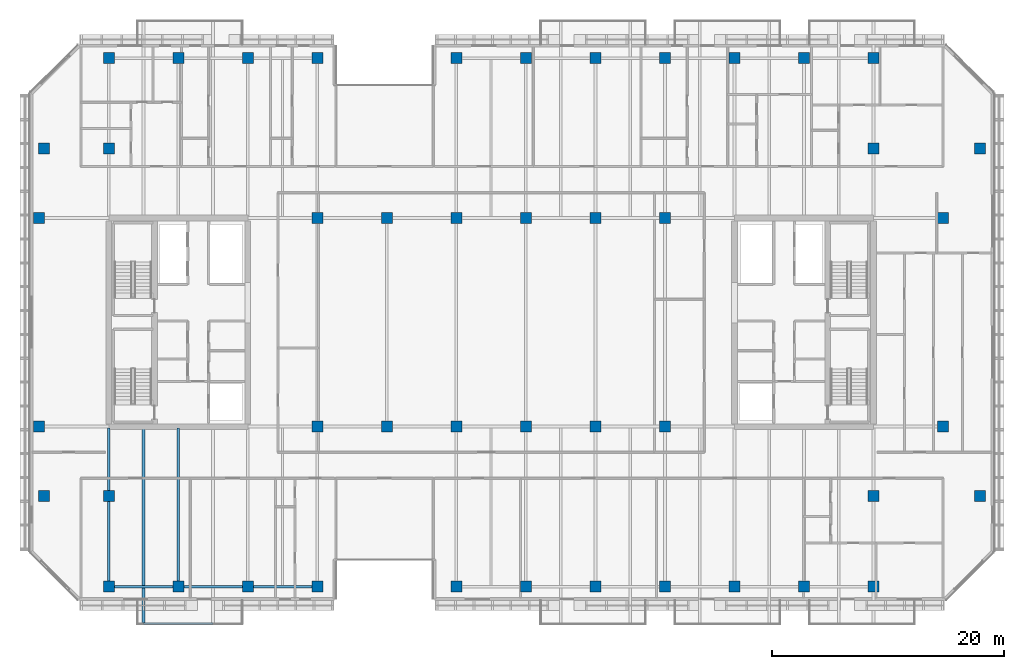
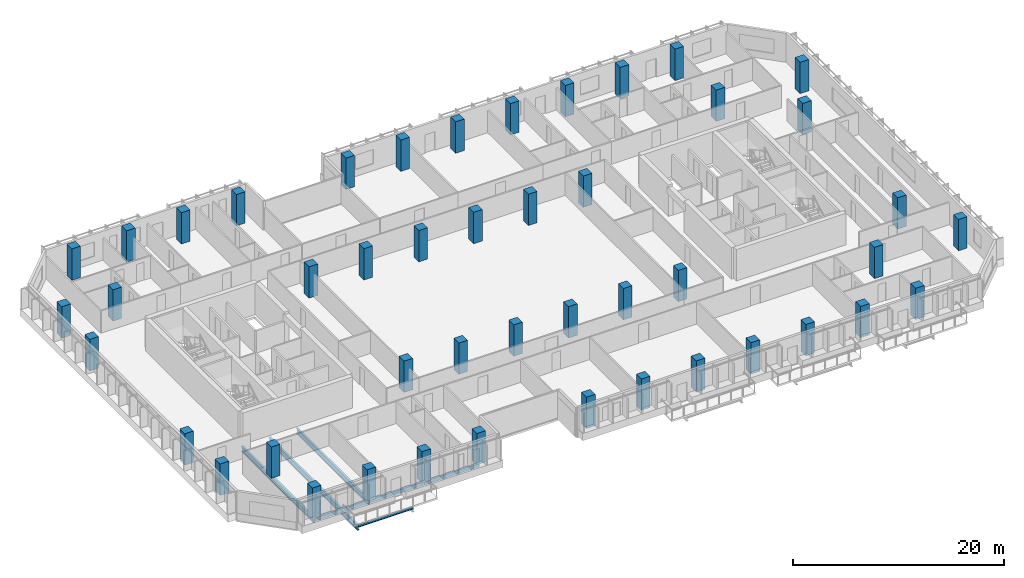
# One storey, part 1 of 23: 46 columns, 7 beams.
"""IFC4 building model written with IfcOpenShell, lengths in metres."""

from ifc_helpers import new_model, si_unit, direction, frame, origin, origin_2d, place, context, subcontext, project, spatial, rectangle, hollow_rectangle, i_section, extrude, material, material_profile, profile_set, type_object, element, save


model = new_model("IFC4")

# Units and contexts
model_context = context("Model", 3, precision=1e-05, world=origin(), true_north=direction((0.0, 1.0)))
body_context = subcontext(model_context, "Body", "Model", "MODEL_VIEW")
ifc_project = project(units=[si_unit("LENGTHUNIT", "METRE"), si_unit("AREAUNIT", "SQUARE_METRE"), si_unit("VOLUMEUNIT", "CUBIC_METRE"), si_unit("PLANEANGLEUNIT", "RADIAN"), si_unit("MASSUNIT", "GRAM", prefix="KILO")], contexts=[model_context])

# Site, building, storey
site_placement = place(None, origin())
site = spatial("IfcSite", under=ifc_project, at=site_placement, CompositionType="ELEMENT")
building_placement = place(site_placement, origin())
building = spatial("IfcBuilding", under=site, at=building_placement, Name="Tanjung Sevakor Pilgrim Tower", CompositionType="ELEMENT")
storey_placement = place(building_placement, frame((0.0, 0.0, 119.4599609375)))
storey = spatial("IfcBuildingStorey", under=building, at=storey_placement, Name="L33", CompositionType="ELEMENT", Elevation=119.4599609375)

# Columns
ifc_material_1 = material(Name="Concrete C60/75", Category="concrete")
ifc_material_profile_1 = material_profile(ifc_material_1, rectangle(XDim=0.949951171875, YDim=0.949951171875, at=origin_2d()))
ifc_profile_set_1 = profile_set([ifc_material_profile_1], Name="Concrete C60/75")
column_type = type_object("IfcColumnType", Name="COL-C-T950-RC_950x950", PredefinedType="COLUMN", material=ifc_profile_set_1)
for number, where, z_axis, x_axis, name in (
    (1, (18.0, 24.60009765625, 0.0), (0.0, 0.0, 1.0), (1.0, 0.0, 0.0), "L33 Column SPW-018-246"),
    (2, (18.0, 42.60009765625, 0.0), (0.0, 0.0, 1.0), (1.0, 0.0, 0.0), "L33 Column SPW-018-426"),
    (3, (42.0, 24.60009765625, 0.0), (0.0, 0.0, 1.0), (1.0, 0.0, 0.0), "L33 Column SPW-042-246"),
    (4, (42.0, 42.60009765625, 0.0), (0.0, 0.0, 1.0), (1.0, 0.0, 0.0), "L33 Column SPW-042-426"),
    (5, (48.0, 24.60009765625, 0.0), (0.0, 0.0, 1.0), (1.0, 0.0, 0.0), "L33 Column SPW-048-246"),
    (6, (48.0, 42.60009765625, 0.0), (0.0, 0.0, 1.0), (1.0, 0.0, 0.0), "L33 Column SPW-048-426"),
    (7, (54.0, 24.60009765625, 0.0), (0.0, 0.0, 1.0), (1.0, 0.0, 0.0), "L33 Column SPE-054-246"),
    (8, (54.0, 42.60009765625, 0.0), (0.0, 0.0, 1.0), (1.0, 0.0, 0.0), "L33 Column SPE-054-426"),
    (9, (60.0, 24.60009765625, 0.0), (0.0, 0.0, 1.0), (1.0, 0.0, 0.0), "L33 Column SPE-060-246"),
    (10, (60.0, 42.60009765625, 0.0), (0.0, 0.0, 1.0), (1.0, 0.0, 0.0), "L33 Column SPE-060-426"),
    (11, (66.0, 24.60009765625, 0.0), (0.0, 0.0, 1.0), (1.0, 0.0, 0.0), "L33 Column SPE-066-246"),
    (12, (66.0, 42.60009765625, 0.0), (0.0, 0.0, 1.0), (1.0, 0.0, 0.0), "L33 Column SPE-066-426"),
    (13, (72.0, 24.60009765625, 0.0), (0.0, 0.0, 1.0), (1.0, 0.0, 0.0), "L33 Column SPE-072-246"),
    (14, (72.0, 42.60009765625, 0.0), (0.0, 0.0, 1.0), (1.0, 0.0, 0.0), "L33 Column SPE-072-426"),
    (15, (96.0, 24.60009765625, 0.0), (0.0, 0.0, 1.0), (1.0, 0.0, 0.0), "L33 Column SPE-096-246"),
    (16, (96.0, 42.60009765625, 0.0), (0.0, 0.0, 1.0), (1.0, 0.0, 0.0), "L33 Column SPE-096-426"),
    (17, (18.39990234375, 18.60009765625, 0.0), (0.0, 0.0, 1.0), (1.0, 0.0, 0.0), "L33 Column TCE-0184-186"),
    (18, (18.39990234375, 48.60009765625, 0.0), (0.0, 0.0, 1.0), (1.0, 0.0, 0.0), "L33 Column TCE-0184-486"),
    (19, (24.0, 18.60009765625, 0.0), (0.0, 0.0, 1.0), (1.0, 0.0, 0.0), "L33 Column TCE-0240-186"),
    (20, (24.0, 48.60009765625, 0.0), (0.0, 0.0, 1.0), (1.0, 0.0, 0.0), "L33 Column TCE-0240-486"),
    (21, (90.0, 18.60009765625, 0.0), (0.0, 0.0, 1.0), (1.0, 0.0, 0.0), "L33 Column TCE-0900-186"),
    (22, (90.0, 48.60009765625, 0.0), (0.0, 0.0, 1.0), (1.0, 0.0, 0.0), "L33 Column TCE-0900-486"),
    (23, (99.199951171875, 18.60009765625, 0.0), (0.0, 0.0, 1.0), (1.0, 0.0, 0.0), "L33 Column TCE-0992-186"),
    (24, (99.199951171875, 48.60009765625, 0.0), (0.0, 0.0, 1.0), (1.0, 0.0, 0.0), "L33 Column TCE-0992-486"),
    (25, (24.0, 10.800048828125, 0.0), (0.0, 0.0, 1.0), (1.0, 0.0, 0.0), "L33 Column TC2-024-108"),
    (26, (24.0, 56.39990234375, 0.0), (0.0, 0.0, 1.0), (1.0, 0.0, 0.0), "L33 Column TC2-024-564"),
    (27, (30.0, 10.800048828125, 0.0), (0.0, 0.0, 1.0), (1.0, 0.0, 0.0), "L33 Column TC2-030-108"),
    (28, (30.0, 56.39990234375, 0.0), (0.0, 0.0, 1.0), (1.0, 0.0, 0.0), "L33 Column TC2-030-564"),
    (29, (36.0, 10.800048828125, 0.0), (0.0, 0.0, 1.0), (1.0, 0.0, 0.0), "L33 Column TC2-036-108"),
    (30, (36.0, 56.39990234375, 0.0), (0.0, 0.0, 1.0), (1.0, 0.0, 0.0), "L33 Column TC2-036-564"),
    (31, (42.0, 10.800048828125, 0.0), (0.0, 0.0, 1.0), (1.0, 0.0, 0.0), "L33 Column TC2-042-108"),
    (32, (42.0, 56.39990234375, 0.0), (0.0, 0.0, 1.0), (1.0, 0.0, 0.0), "L33 Column TC2-042-564"),
    (33, (54.0, 10.800048828125, 0.0), (0.0, 0.0, 1.0), (1.0, 0.0, 0.0), "L33 Column TC2-054-108"),
    (34, (54.0, 56.39990234375, 0.0), (0.0, 0.0, 1.0), (1.0, 0.0, 0.0), "L33 Column TC2-054-564"),
    (35, (60.0, 10.800048828125, 0.0), (0.0, 0.0, 1.0), (1.0, 0.0, 0.0), "L33 Column TC2-060-108"),
    (36, (60.0, 56.39990234375, 0.0), (0.0, 0.0, 1.0), (1.0, 0.0, 0.0), "L33 Column TC2-060-564"),
    (37, (66.0, 10.800048828125, 0.0), (0.0, 0.0, 1.0), (1.0, 0.0, 0.0), "L33 Column TC2-066-108"),
    (38, (66.0, 56.39990234375, 0.0), (0.0, 0.0, 1.0), (1.0, 0.0, 0.0), "L33 Column TC2-066-564"),
    (39, (72.0, 10.800048828125, 0.0), (0.0, 0.0, 1.0), (1.0, 0.0, 0.0), "L33 Column TC2-072-108"),
    (40, (72.0, 56.39990234375, 0.0), (0.0, 0.0, 1.0), (1.0, 0.0, 0.0), "L33 Column TC2-072-564"),
    (41, (78.0, 10.800048828125, 0.0), (0.0, 0.0, 1.0), (1.0, 0.0, 0.0), "L33 Column TC2-078-108"),
    (42, (78.0, 56.39990234375, 0.0), (0.0, 0.0, 1.0), (1.0, 0.0, 0.0), "L33 Column TC2-078-564"),
    (43, (84.0, 10.800048828125, 0.0), (0.0, 0.0, 1.0), (1.0, 0.0, 0.0), "L33 Column TC2-084-108"),
    (44, (84.0, 56.39990234375, 0.0), (0.0, 0.0, 1.0), (1.0, 0.0, 0.0), "L33 Column TC2-084-564"),
    (45, (90.0, 10.800048828125, 0.0), (0.0, 0.0, 1.0), (1.0, 0.0, 0.0), "L33 Column TC2-090-108"),
    (46, (90.0, 56.39990234375, 0.0), (0.0, 0.0, 1.0), (1.0, 0.0, 0.0), "L33 Column TC2-090-564"),
):
    element("IfcColumn", number, at=place(storey_placement, frame(where, z_axis=z_axis, x_axis=x_axis)), inside=storey, type_object=column_type, Name=name, PredefinedType="COLUMN", context=body_context, shape_type="SweptSolid", body=[
        extrude(rectangle(XDim=0.949951171875, YDim=0.949951171875, at=origin_2d()), origin(), (0.0, 0.0, 1.0), 3.630126953125),
    ])

# Beams
ifc_material_2 = material(Name="Steel S355J2", Category="steel")
ifc_material_profile_2 = material_profile(ifc_material_2, i_section(OverallWidth=0.230224609375, OverallDepth=0.6171875, WebThickness=0.01318359375, FlangeThickness=0.022216796875, FilletRadius=0.0126953125, at=origin_2d()))
ifc_profile_set_2 = profile_set([ifc_material_profile_2], Name="Steel S355J2")
beam_type_1 = type_object("IfcBeamType", Name="BM-B-G3-UB_610x229x140", PredefinedType="BEAM", material=ifc_profile_set_2)
for number, where, z_axis, x_axis, name in (
    (47, (24.0, 10.800048828125, -0.528564453125), (0.0, 1.0, 0.0), (-1.0, 0.0, 0.0), "L33 MAIN Girder 001"),
    (48, (30.0, 10.800048828125, -0.528564453125), (0.0, 1.0, 0.0), (-1.0, 0.0, 0.0), "L33 MAIN Girder 003"),
):
    element("IfcBeam", number, at=place(storey_placement, frame(where, z_axis=z_axis, x_axis=x_axis)), inside=storey, type_object=beam_type_1, Name=name, PredefinedType="BEAM", context=body_context, shape_type="SweptSolid", body=[
        extrude(i_section(OverallWidth=0.230224609375, OverallDepth=0.6171875, WebThickness=0.01318359375, FlangeThickness=0.022216796875, FilletRadius=0.0126953125, at=origin_2d()), origin(), (0.0, 0.0, 1.0), 13.672607421875),
    ])
ifc_material_3 = material(Name="Steel S355J2", Category="steel")
ifc_material_profile_3 = material_profile(ifc_material_3, i_section(OverallWidth=0.22900390625, OverallDepth=0.6123046875, WebThickness=0.011962890625, FlangeThickness=0.01953125, FilletRadius=0.0126953125, at=origin_2d()))
ifc_profile_set_3 = profile_set([ifc_material_profile_3], Name="Steel S355J2")
beam_type_2 = type_object("IfcBeamType", Name="BM-B-G4-UB_610x229x125", PredefinedType="BEAM", material=ifc_profile_set_3)
beam_1_placement = place(storey_placement, frame((27.0, 24.47265625, -0.526123046875), z_axis=(0.0, -1.0, 0.0), x_axis=(1.0, 0.0, 0.0)))
element("IfcBeam", 49, at=beam_1_placement, inside=storey, type_object=beam_type_2, Name="L33 Balcony Cantilever Beam MAIN-S1-1", PredefinedType="BEAM", context=body_context, shape_type="SweptSolid", body=[
    extrude(i_section(OverallWidth=0.22900390625, OverallDepth=0.6123046875, WebThickness=0.011962890625, FlangeThickness=0.01953125, FilletRadius=0.0126953125, at=origin_2d()), origin(), (0.0, 0.0, 1.0), 16.8525390625),
])
ifc_material_4 = material(Name="Steel S355J2", Category="steel")
ifc_material_profile_4 = material_profile(ifc_material_4, i_section(OverallWidth=0.146484375, OverallDepth=0.256103515625, WebThickness=0.00634765625, FlangeThickness=0.010986328125, FilletRadius=0.007568359375, at=origin_2d()))
ifc_profile_set_4 = profile_set([ifc_material_profile_4], Name="Steel S355J2")
beam_type_3 = type_object("IfcBeamType", Name="BM-B-J6-UB_254x146x37", PredefinedType="JOIST", material=ifc_profile_set_4)
beam_2_placement = place(storey_placement, frame((27.0, 7.6201171875, -0.327880859375), z_axis=(1.0, 0.0, 0.0), x_axis=(0.0, 1.0, 0.0)))
element("IfcBeam", 50, at=beam_2_placement, inside=storey, type_object=beam_type_3, Name="L33 Balcony Rim Tie MAIN-S1", PredefinedType="JOIST", context=body_context, shape_type="SweptSolid", body=[
    extrude(i_section(OverallWidth=0.146484375, OverallDepth=0.256103515625, WebThickness=0.00634765625, FlangeThickness=0.010986328125, FilletRadius=0.007568359375, at=origin_2d()), origin(), (0.0, 0.0, 1.0), 6.0),
])
ifc_material_5 = material(Name="Steel S355J2", Category="steel")
ifc_material_profile_5 = material_profile(ifc_material_5, hollow_rectangle(XDim=0.199951171875, YDim=0.39990234375, WallThickness=0.01611328125, at=origin_2d()))
ifc_profile_set_5 = profile_set([ifc_material_profile_5], Name="Steel S355J2")
beam_type_4 = type_object("IfcBeamType", Name="BM-B-SP2-RHS_400x200x16", PredefinedType="SPANDREL", material=ifc_profile_set_5)
for number, where, z_axis, x_axis, name in (
    (51, (24.0, 10.800048828125, -0.419921875), (1.0, 0.0, 0.0), (0.0, 1.0, 0.0), "L33 Spandrel MAIN S-01"),
    (52, (30.0, 10.800048828125, -0.419921875), (1.0, 0.0, 0.0), (0.0, 1.0, 0.0), "L33 Spandrel MAIN S-03"),
    (53, (36.0, 10.800048828125, -0.419921875), (1.0, 0.0, 0.0), (0.0, 1.0, 0.0), "L33 Spandrel MAIN S-05"),
):
    element("IfcBeam", number, at=place(storey_placement, frame(where, z_axis=z_axis, x_axis=x_axis)), inside=storey, type_object=beam_type_4, Name=name, PredefinedType="SPANDREL", context=body_context, shape_type="SweptSolid", body=[
        extrude(hollow_rectangle(XDim=0.199951171875, YDim=0.39990234375, WallThickness=0.01611328125, at=origin_2d()), origin(), (0.0, 0.0, 1.0), 6.0),
    ])

save(model, "model.ifc")
